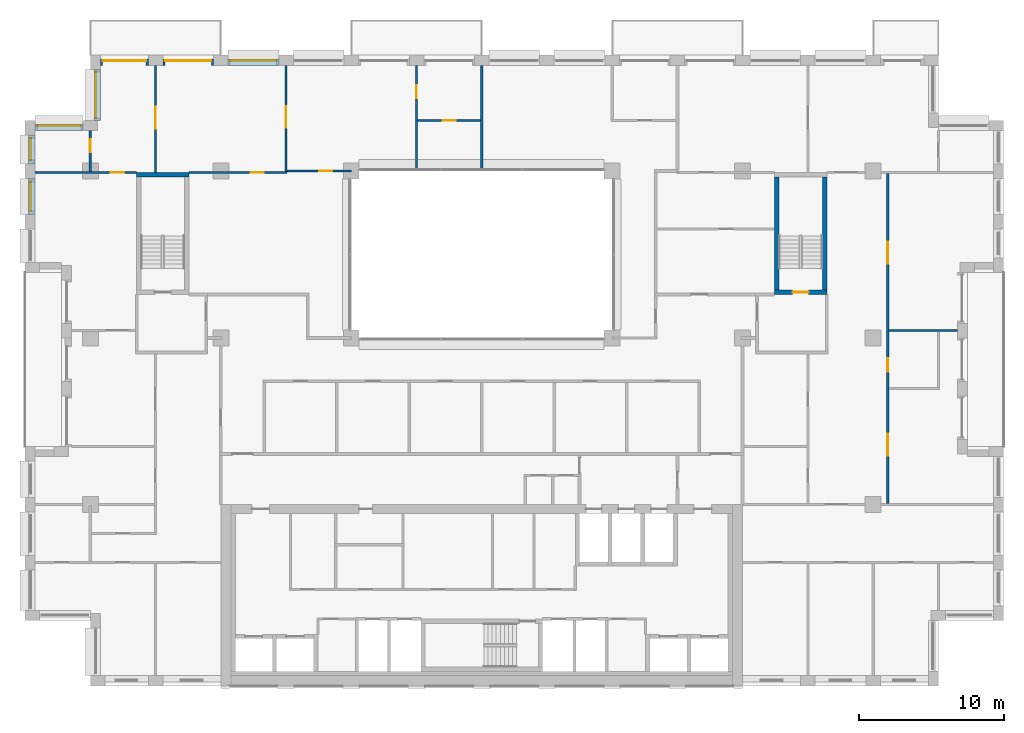
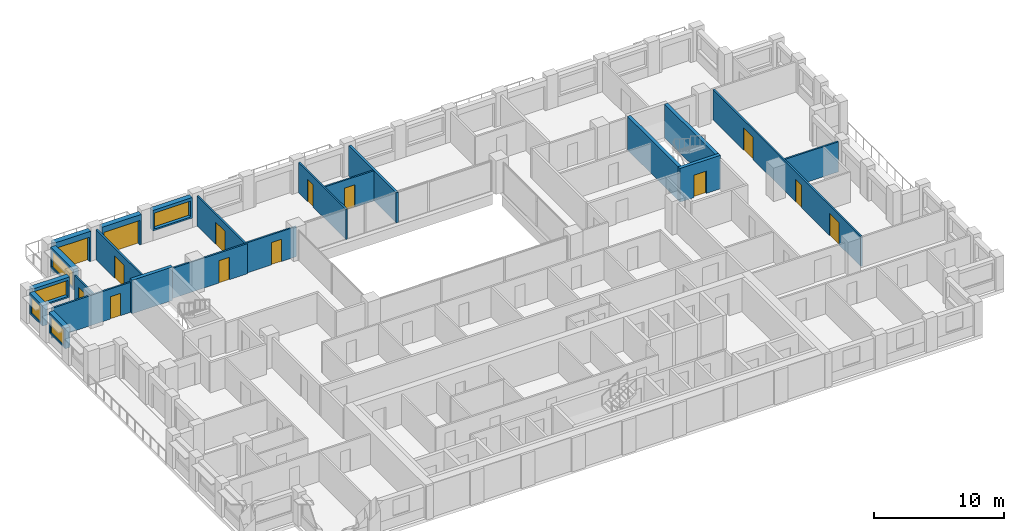
# One storey, part 12 of 16: 22 walls, 14 doors, 5 windows, 19 openings.
"""IFC4 building model written with IfcOpenShell, lengths in metres."""

from ifc_helpers import new_model, si_unit, direction, frame, frame_2d, origin, place, context, subcontext, project, spatial, rectangle, extrude, material, layer, layer_set, type_object, element, fill, save


model = new_model("IFC4")

# Units and contexts
model_context = context("Model", 3, precision=1e-05, world=origin(), true_north=direction((0.0, 1.0)))
body_context = subcontext(model_context, "Body", "Model", "MODEL_VIEW")
ifc_project = project(units=[si_unit("LENGTHUNIT", "METRE"), si_unit("AREAUNIT", "SQUARE_METRE"), si_unit("VOLUMEUNIT", "CUBIC_METRE"), si_unit("PLANEANGLEUNIT", "RADIAN"), si_unit("MASSUNIT", "GRAM", prefix="KILO")], contexts=[model_context])

# Site, building, storey
site_placement = place(None, origin())
site = spatial("IfcSite", under=ifc_project, at=site_placement, CompositionType="ELEMENT")
building_placement = place(site_placement, origin())
building = spatial("IfcBuilding", under=site, at=building_placement, Name="Brigalow Station Residences", CompositionType="ELEMENT")
storey_placement = place(building_placement, frame((0.0, 0.0, 166.5)))
storey = spatial("IfcBuildingStorey", under=building, at=storey_placement, Name="L48", CompositionType="ELEMENT", Elevation=166.5)

# Wall, opening, window
ifc_material_1 = material(Name="Clay brick masonry", Category="masonry")
ifc_layer_1 = layer(ifc_material_1, 0.449951171875)
ifc_layer_set_1 = layer_set([ifc_layer_1], Name="BRICK INFILL WALL 450")
wall_type_1 = type_object("IfcWallType", Name="BRICK INFILL WALL 450", PredefinedType="SOLIDWALL", material=ifc_layer_set_1)
wall_1_placement = place(storey_placement, frame((22.0, 43.02490234375, 0.89990234375), z_axis=(0.0, 0.0, 1.0), x_axis=(-1.0, 0.0, 0.0)))
wall_1 = element("IfcWall", 1, at=wall_1_placement, inside=storey, type_object=wall_type_1, Name="L48/ewall/W-L48-32", PredefinedType="SOLIDWALL", context=body_context, shape_type="SweptSolid", body=[
    extrude(rectangle(XDim=3.5, YDim=0.449951171875, at=frame_2d((1.75, 0.0))), origin(), (0.0, 0.0, 1.0), 1.93017578125),
])
opening_1_placement = place(wall_1_placement, frame((0.14990234375, 0.0, 0.14990234375)))
opening_1 = element("IfcOpeningElement", 2, at=opening_1_placement, cuts=wall_1, Name="Opening WT-9", PredefinedType="OPENING", context=body_context, shape_type="SweptSolid", body=[
    extrude(rectangle(XDim=3.199951171875, YDim=1.5, at=frame_2d((1.60009765625, 0.75))), frame((0.0, 0.23486328125, 0.0), z_axis=(0.0, -1.0, 0.0), x_axis=(1.0, 0.0, 0.0)), (0.0, 0.0, 1.0), 0.469970703125),
])
ifc_material_2 = material(Name="Anodised aluminium frame with double glazing", Category="aluminium")
window_type_1 = type_object("IfcWindowType", Name="WINDOW 3200x1500", PartitioningType="SINGLE_PANEL", PredefinedType="WINDOW", material=ifc_material_2)
window_1_placement = place(opening_1_placement, origin())
window_1 = element("IfcWindow", 3, at=window_1_placement, inside=storey, type_object=window_type_1, Name="L48/window/W-L48-32", OverallHeight=1.5, OverallWidth=3.199951171875, PartitioningType="SINGLE_PANEL", PredefinedType="WINDOW", context=body_context, shape_type="SweptSolid", body=[
    extrude(rectangle(XDim=3.199951171875, YDim=1.5, at=frame_2d((1.60009765625, 0.75))), frame((0.0, -0.06494140625, 0.0), z_axis=(0.0, -1.0, 0.0), x_axis=(1.0, 0.0, 0.0)), (0.0, 0.0, 1.0), 0.06005859375),
])
fill(opening_1, window_1)

# Wall, opening, door
wall_2_placement = place(storey_placement, frame((17.5, 43.02490234375, 0.0), z_axis=(0.0, 0.0, 1.0), x_axis=(-1.0, 0.0, 0.0)))
wall_2 = element("IfcWall", 4, at=wall_2_placement, inside=storey, type_object=wall_type_1, Name="L48/ewall/W-L48-33", PredefinedType="SOLIDWALL", context=body_context, shape_type="SweptSolid", body=[
    extrude(rectangle(XDim=3.5, YDim=0.449951171875, at=frame_2d((1.75, 0.0))), origin(), (0.0, 0.0, 1.0), 2.830078125),
])
opening_2_placement = place(wall_2_placement, frame((0.14990234375, 0.0, 0.0)))
opening_2 = element("IfcOpeningElement", 5, at=opening_2_placement, cuts=wall_2, Name="Opening D-B3200", PredefinedType="OPENING", context=body_context, shape_type="SweptSolid", body=[
    extrude(rectangle(XDim=3.199951171875, YDim=2.300048828125, at=frame_2d((1.60009765625, 1.14990234375))), frame((0.0, 0.23486328125, 0.0), z_axis=(0.0, -1.0, 0.0), x_axis=(1.0, 0.0, 0.0)), (0.0, 0.0, 1.0), 0.469970703125),
])
ifc_material_3 = material(Name="Anodised aluminium frame with double glazing", Category="aluminium")
door_type_1 = type_object("IfcDoorType", Name="BALCONY SLIDING DOOR 3200x2300", OperationType="SLIDING_TO_LEFT", PredefinedType="DOOR", material=ifc_material_3)
door_1_placement = place(opening_2_placement, origin())
door_1 = element("IfcDoor", 6, at=door_1_placement, inside=storey, type_object=door_type_1, Name="L48/balcony-door/W-L48-33", OperationType="SLIDING_TO_LEFT", OverallHeight=2.300048828125, OverallWidth=3.199951171875, PredefinedType="DOOR", context=body_context, shape_type="SweptSolid", body=[
    extrude(rectangle(XDim=3.199951171875, YDim=2.300048828125, at=frame_2d((1.60009765625, 1.14990234375))), frame((0.0, -0.06982421875, 0.0), z_axis=(0.0, -1.0, 0.0), x_axis=(1.0, 0.0, 0.0)), (0.0, 0.0, 1.0), 0.050048828125),
])
fill(opening_2, door_1)

wall_3_placement = place(storey_placement, frame((13.0, 43.02490234375, 0.0), z_axis=(0.0, 0.0, 1.0), x_axis=(-1.0, 0.0, 0.0)))
wall_3 = element("IfcWall", 7, at=wall_3_placement, inside=storey, type_object=wall_type_1, Name="L48/ewall/W-L48-34", PredefinedType="SOLIDWALL", context=body_context, shape_type="SweptSolid", body=[
    extrude(rectangle(XDim=3.300048828125, YDim=0.449951171875, at=frame_2d((1.64990234375, 0.0))), origin(), (0.0, 0.0, 1.0), 2.830078125),
])
opening_3_placement = place(wall_3_placement, frame((0.14990234375, 0.0, 0.0)))
opening_3 = element("IfcOpeningElement", 8, at=opening_3_placement, cuts=wall_3, Name="Opening D-B3000", PredefinedType="OPENING", context=body_context, shape_type="SweptSolid", body=[
    extrude(rectangle(XDim=3.0, YDim=2.300048828125, at=frame_2d((1.5, 1.14990234375))), frame((0.0, 0.23486328125, 0.0), z_axis=(0.0, -1.0, 0.0), x_axis=(1.0, 0.0, 0.0)), (0.0, 0.0, 1.0), 0.469970703125),
])
ifc_material_4 = material(Name="Anodised aluminium frame with double glazing", Category="aluminium")
door_type_2 = type_object("IfcDoorType", Name="BALCONY SLIDING DOOR 3000x2300", OperationType="SLIDING_TO_LEFT", PredefinedType="DOOR", material=ifc_material_4)
door_2_placement = place(opening_3_placement, origin())
door_2 = element("IfcDoor", 9, at=door_2_placement, inside=storey, type_object=door_type_2, Name="L48/balcony-door/W-L48-34", OperationType="SLIDING_TO_LEFT", OverallHeight=2.300048828125, OverallWidth=3.0, PredefinedType="DOOR", context=body_context, shape_type="SweptSolid", body=[
    extrude(rectangle(XDim=3.0, YDim=2.300048828125, at=frame_2d((1.5, 1.14990234375))), frame((0.0, -0.06982421875, 0.0), z_axis=(0.0, -1.0, 0.0), x_axis=(1.0, 0.0, 0.0)), (0.0, 0.0, 1.0), 0.050048828125),
])
fill(opening_3, door_2)

# Wall, opening, window
wall_4_placement = place(storey_placement, frame((9.47509765625, 42.5, 0.89990234375), z_axis=(0.0, 0.0, 1.0), x_axis=(0.0, -1.0, 0.0)))
wall_4 = element("IfcWall", 10, at=wall_4_placement, inside=storey, type_object=wall_type_1, Name="L48/ewall/W-L48-35", PredefinedType="SOLIDWALL", context=body_context, shape_type="SweptSolid", body=[
    extrude(rectangle(XDim=3.5, YDim=0.449951171875, at=frame_2d((1.75, 0.0))), origin(), (0.0, 0.0, 1.0), 1.93017578125),
])
opening_4_placement = place(wall_4_placement, frame((0.14990234375, 0.0, 0.14990234375)))
opening_4 = element("IfcOpeningElement", 11, at=opening_4_placement, cuts=wall_4, Name="Opening WT-9", PredefinedType="OPENING", context=body_context, shape_type="SweptSolid", body=[
    extrude(rectangle(XDim=3.199951171875, YDim=1.5, at=frame_2d((1.60009765625, 0.75))), frame((0.0, 0.23486328125, 0.0), z_axis=(0.0, -1.0, 0.0), x_axis=(1.0, 0.0, 0.0)), (0.0, 0.0, 1.0), 0.469970703125),
])
window_2_placement = place(opening_4_placement, origin())
window_2 = element("IfcWindow", 12, at=window_2_placement, inside=storey, type_object=window_type_1, Name="L48/window/W-L48-35", OverallHeight=1.5, OverallWidth=3.199951171875, PartitioningType="SINGLE_PANEL", PredefinedType="WINDOW", context=body_context, shape_type="SweptSolid", body=[
    extrude(rectangle(XDim=3.199951171875, YDim=1.5, at=frame_2d((1.60009765625, 0.75))), frame((0.0, -0.06494140625, 0.0), z_axis=(0.0, -1.0, 0.0), x_axis=(1.0, 0.0, 0.0)), (0.0, 0.0, 1.0), 0.06005859375),
])
fill(opening_4, window_2)

wall_5_placement = place(storey_placement, frame((8.5, 38.52490234375, 0.89990234375), z_axis=(0.0, 0.0, 1.0), x_axis=(-1.0, 0.0, 0.0)))
wall_5 = element("IfcWall", 13, at=wall_5_placement, inside=storey, type_object=wall_type_1, Name="L48/ewall/W-L48-36", PredefinedType="SOLIDWALL", context=body_context, shape_type="SweptSolid", body=[
    extrude(rectangle(XDim=3.300048828125, YDim=0.449951171875, at=frame_2d((1.64990234375, 0.0))), origin(), (0.0, 0.0, 1.0), 1.93017578125),
])
opening_5_placement = place(wall_5_placement, frame((0.14990234375, 0.0, 0.14990234375)))
opening_5 = element("IfcOpeningElement", 14, at=opening_5_placement, cuts=wall_5, Name="Opening WT-2", PredefinedType="OPENING", context=body_context, shape_type="SweptSolid", body=[
    extrude(rectangle(XDim=3.0, YDim=1.5, at=frame_2d((1.5, 0.75))), frame((0.0, 0.23486328125, 0.0), z_axis=(0.0, -1.0, 0.0), x_axis=(1.0, 0.0, 0.0)), (0.0, 0.0, 1.0), 0.469970703125),
])
ifc_material_5 = material(Name="Anodised aluminium frame with double glazing", Category="aluminium")
window_type_2 = type_object("IfcWindowType", Name="WINDOW 3000x1500", PartitioningType="SINGLE_PANEL", PredefinedType="WINDOW", material=ifc_material_5)
window_3_placement = place(opening_5_placement, origin())
window_3 = element("IfcWindow", 15, at=window_3_placement, inside=storey, type_object=window_type_2, Name="L48/window/W-L48-36", OverallHeight=1.5, OverallWidth=3.0, PartitioningType="SINGLE_PANEL", PredefinedType="WINDOW", context=body_context, shape_type="SweptSolid", body=[
    extrude(rectangle(XDim=3.0, YDim=1.5, at=frame_2d((1.5, 0.75))), frame((0.0, -0.06494140625, 0.0), z_axis=(0.0, -1.0, 0.0), x_axis=(1.0, 0.0, 0.0)), (0.0, 0.0, 1.0), 0.06005859375),
])
fill(opening_5, window_3)

wall_6_placement = place(storey_placement, frame((4.97509765625, 38.0, 0.89990234375), z_axis=(0.0, 0.0, 1.0), x_axis=(0.0, -1.0, 0.0)))
wall_6 = element("IfcWall", 16, at=wall_6_placement, inside=storey, type_object=wall_type_1, Name="L48/ewall/W-L48-37", PredefinedType="SOLIDWALL", context=body_context, shape_type="SweptSolid", body=[
    extrude(rectangle(XDim=2.0, YDim=0.449951171875, at=frame_2d((1.0, 0.0))), origin(), (0.0, 0.0, 1.0), 1.93017578125),
])
opening_6_placement = place(wall_6_placement, frame((0.25, 0.0, 0.14990234375)))
opening_6 = element("IfcOpeningElement", 17, at=opening_6_placement, cuts=wall_6, Name="Opening WT-1", PredefinedType="OPENING", context=body_context, shape_type="SweptSolid", body=[
    extrude(rectangle(XDim=1.5, YDim=1.5, at=frame_2d((0.75, 0.75))), frame((0.0, 0.23486328125, 0.0), z_axis=(0.0, -1.0, 0.0), x_axis=(1.0, 0.0, 0.0)), (0.0, 0.0, 1.0), 0.469970703125),
])
ifc_material_6 = material(Name="Anodised aluminium frame with double glazing", Category="aluminium")
window_type_3 = type_object("IfcWindowType", Name="WINDOW 1500x1500", PartitioningType="SINGLE_PANEL", PredefinedType="WINDOW", material=ifc_material_6)
window_4_placement = place(opening_6_placement, origin())
window_4 = element("IfcWindow", 18, at=window_4_placement, inside=storey, type_object=window_type_3, Name="L48/window/W-L48-37", OverallHeight=1.5, OverallWidth=1.5, PartitioningType="SINGLE_PANEL", PredefinedType="WINDOW", context=body_context, shape_type="SweptSolid", body=[
    extrude(rectangle(XDim=1.5, YDim=1.5, at=frame_2d((0.75, 0.75))), frame((0.0, -0.06494140625, 0.0), z_axis=(0.0, -1.0, 0.0), x_axis=(1.0, 0.0, 0.0)), (0.0, 0.0, 1.0), 0.06005859375),
])
fill(opening_6, window_4)

wall_7_placement = place(storey_placement, frame((4.97509765625, 35.0, 0.89990234375), z_axis=(0.0, 0.0, 1.0), x_axis=(0.0, -1.0, 0.0)))
wall_7 = element("IfcWall", 19, at=wall_7_placement, inside=storey, type_object=wall_type_1, Name="L48/ewall/W-L48-38", PredefinedType="SOLIDWALL", context=body_context, shape_type="SweptSolid", body=[
    extrude(rectangle(XDim=2.5, YDim=0.449951171875, at=frame_2d((1.25, 0.0))), origin(), (0.0, 0.0, 1.0), 1.93017578125),
])
opening_7_placement = place(wall_7_placement, frame((0.25, 0.0, 0.14990234375)))
opening_7 = element("IfcOpeningElement", 20, at=opening_7_placement, cuts=wall_7, Name="Opening WT-7", PredefinedType="OPENING", context=body_context, shape_type="SweptSolid", body=[
    extrude(rectangle(XDim=2.0, YDim=1.5, at=frame_2d((1.0, 0.75))), frame((0.0, 0.23486328125, 0.0), z_axis=(0.0, -1.0, 0.0), x_axis=(1.0, 0.0, 0.0)), (0.0, 0.0, 1.0), 0.469970703125),
])
ifc_material_7 = material(Name="Anodised aluminium frame with double glazing", Category="aluminium")
window_type_4 = type_object("IfcWindowType", Name="WINDOW 2000x1500", PartitioningType="SINGLE_PANEL", PredefinedType="WINDOW", material=ifc_material_7)
window_5_placement = place(opening_7_placement, origin())
window_5 = element("IfcWindow", 21, at=window_5_placement, inside=storey, type_object=window_type_4, Name="L48/window/W-L48-38", OverallHeight=1.5, OverallWidth=2.0, PartitioningType="SINGLE_PANEL", PredefinedType="WINDOW", context=body_context, shape_type="SweptSolid", body=[
    extrude(rectangle(XDim=2.0, YDim=1.5, at=frame_2d((1.0, 0.75))), frame((0.0, -0.06494140625, 0.0), z_axis=(0.0, -1.0, 0.0), x_axis=(1.0, 0.0, 0.0)), (0.0, 0.0, 1.0), 0.06005859375),
])
fill(opening_7, window_5)

# Wall
ifc_material_8 = material(Name="Concrete C65", Category="concrete")
ifc_layer_2 = layer(ifc_material_8, 0.300048828125)
ifc_layer_set_2 = layer_set([ifc_layer_2], Name="CORE SHEAR WALL 300 C65")
wall_type_2 = type_object("IfcWallType", Name="CORE SHEAR WALL 300 C65", PredefinedType="SHEAR", material=ifc_layer_set_2)
wall_8_placement = place(storey_placement, frame((12.199951171875, 35.25, 0.0), z_axis=(0.0, 0.0, 1.0), x_axis=(1.0, 0.0, 0.0)))
element("IfcWall", 22, at=wall_8_placement, inside=storey, type_object=wall_type_2, Name="CORE WALL ST-S1-N L48", PredefinedType="SHEAR", context=body_context, shape_type="SweptSolid", body=[
    extrude(rectangle(XDim=3.60009765625, YDim=0.300048828125, at=frame_2d((1.800048828125, 0.0))), origin(), (0.0, 0.0, 1.0), 3.14990234375),
])

# Wall, opening, door
wall_9_placement = place(storey_placement, frame((56.199951171875, 27.14990234375, 0.0), z_axis=(0.0, 0.0, 1.0), x_axis=(1.0, 0.0, 0.0)))
wall_9 = element("IfcWall", 23, at=wall_9_placement, inside=storey, type_object=wall_type_2, Name="CORE WALL ST-S3-S L48", PredefinedType="SHEAR", context=body_context, shape_type="SweptSolid", body=[
    extrude(rectangle(XDim=3.60009765625, YDim=0.300048828125, at=frame_2d((1.800048828125, 0.0))), origin(), (0.0, 0.0, 1.0), 3.14990234375),
])
opening_8_placement = place(wall_9_placement, frame((1.25, 0.0, 0.0)))
opening_8 = element("IfcOpeningElement", 24, at=opening_8_placement, cuts=wall_9, Name="Opening D-5018", PredefinedType="OPENING", context=body_context, shape_type="SweptSolid", body=[
    extrude(rectangle(XDim=1.10009765625, YDim=2.10009765625, at=frame_2d((0.550048828125, 1.050048828125))), frame((0.0, 0.16015625, 0.0), z_axis=(0.0, -1.0, 0.0), x_axis=(1.0, 0.0, 0.0)), (0.0, 0.0, 1.0), 0.320068359375),
])
ifc_material_9 = material(Name="Steel fire door leaf in steel frame", Category="steel")
door_type_3 = type_object("IfcDoorType", Name="STAIR DOOR 1100 x 2100 FD60S", OperationType="SINGLE_SWING_LEFT", PredefinedType="DOOR", material=ifc_material_9)
door_3_placement = place(opening_8_placement, origin())
door_3 = element("IfcDoor", 25, at=door_3_placement, inside=storey, type_object=door_type_3, Name="D-5018", OperationType="SINGLE_SWING_LEFT", OverallHeight=2.10009765625, OverallWidth=1.10009765625, PredefinedType="DOOR", context=body_context, shape_type="SweptSolid", body=[
    extrude(rectangle(XDim=1.10009765625, YDim=2.10009765625, at=frame_2d((0.550048828125, 1.050048828125))), frame((0.0, 0.02490234375, 0.0), z_axis=(0.0, -1.0, 0.0), x_axis=(1.0, 0.0, 0.0)), (0.0, 0.0, 1.0), 0.050048828125),
])
fill(opening_8, door_3)

# Walls
for number, where, z_axis, x_axis, name in (
    (26, (56.35009765625, 27.300048828125, 0.0), (0.0, 0.0, 1.0), (0.0, 1.0, 0.0), "CORE WALL ST-S3-W L48"),
    (27, (59.64990234375, 27.300048828125, 0.0), (0.0, 0.0, 1.0), (0.0, 1.0, 0.0), "CORE WALL ST-S3-E L48"),
):
    element("IfcWall", number, at=place(storey_placement, frame(where, z_axis=z_axis, x_axis=x_axis)), inside=storey, type_object=wall_type_2, Name=name, PredefinedType="SHEAR", context=body_context, shape_type="SweptSolid", body=[
        extrude(rectangle(XDim=7.800048828125, YDim=0.300048828125, at=frame_2d((3.89990234375, 0.0))), origin(), (0.0, 0.0, 1.0), 3.14990234375),
    ])
ifc_material_10 = material(Name="Plasterboard on steel stud partition", Category="steel")
ifc_layer_3 = layer(ifc_material_10, 0.14990234375)
ifc_layer_set_3 = layer_set([ifc_layer_3], Name="FLAT PARTITION 150")
wall_type_3 = type_object("IfcWallType", Name="FLAT PARTITION 150", PredefinedType="PARTITIONING", material=ifc_layer_set_3)
wall_10_placement = place(storey_placement, frame((64.074951171875, 24.5, 0.0), z_axis=(0.0, 0.0, 1.0), x_axis=(1.0, 0.0, 0.0)))
element("IfcWall", 28, at=wall_10_placement, inside=storey, type_object=wall_type_3, Name="PW-3D16", PredefinedType="PARTITIONING", context=body_context, shape_type="SweptSolid", body=[
    extrude(rectangle(XDim=4.72509765625, YDim=0.14990234375, at=frame_2d((2.362548828125, 0.0))), origin(), (0.0, 0.0, 1.0), 2.830078125),
])

# Wall, opening, door
wall_11_placement = place(storey_placement, frame((5.199951171875, 35.39990234375, 0.0), z_axis=(0.0, 0.0, 1.0), x_axis=(1.0, 0.0, 0.0)))
wall_11 = element("IfcWall", 29, at=wall_11_placement, inside=storey, type_object=wall_type_3, Name="PW-3D17", PredefinedType="PARTITIONING", context=body_context, shape_type="SweptSolid", body=[
    extrude(rectangle(XDim=7.0, YDim=0.14990234375, at=frame_2d((3.5, 0.0))), origin(), (0.0, 0.0, 1.0), 2.830078125),
])
opening_9_placement = place(wall_11_placement, frame((5.22509765625, 0.0, 0.0)))
opening_9 = element("IfcOpeningElement", 30, at=opening_9_placement, cuts=wall_11, Name="Opening D-3D11", PredefinedType="OPENING", context=body_context, shape_type="SweptSolid", body=[
    extrude(rectangle(XDim=0.89990234375, YDim=2.10009765625, at=frame_2d((0.449951171875, 1.050048828125))), frame((0.0, 0.0849609375, 0.0), z_axis=(0.0, -1.0, 0.0), x_axis=(1.0, 0.0, 0.0)), (0.0, 0.0, 1.0), 0.169921875),
])
ifc_material_11 = material(Name="Solid-core timber door leaf", Category="wood")
door_type_4 = type_object("IfcDoorType", Name="INTERNAL DOOR 900 x 2100", OperationType="SINGLE_SWING_LEFT", PredefinedType="DOOR", material=ifc_material_11)
door_4_placement = place(opening_9_placement, origin())
door_4 = element("IfcDoor", 31, at=door_4_placement, inside=storey, type_object=door_type_4, Name="D-3D11", OperationType="SINGLE_SWING_LEFT", OverallHeight=2.10009765625, OverallWidth=0.89990234375, PredefinedType="DOOR", context=body_context, shape_type="SweptSolid", body=[
    extrude(rectangle(XDim=0.89990234375, YDim=2.10009765625, at=frame_2d((0.449951171875, 1.050048828125))), frame((0.0, 0.02490234375, 0.0), z_axis=(0.0, -1.0, 0.0), x_axis=(1.0, 0.0, 0.0)), (0.0, 0.0, 1.0), 0.050048828125),
])
fill(opening_9, door_4)

wall_12_placement = place(storey_placement, frame((15.800048828125, 35.39990234375, 0.0), z_axis=(0.0, 0.0, 1.0), x_axis=(1.0, 0.0, 0.0)))
wall_12 = element("IfcWall", 32, at=wall_12_placement, inside=storey, type_object=wall_type_3, Name="PW-3D18", PredefinedType="PARTITIONING", context=body_context, shape_type="SweptSolid", body=[
    extrude(rectangle(XDim=6.77490234375, YDim=0.14990234375, at=frame_2d((3.387451171875, 0.0))), origin(), (0.0, 0.0, 1.0), 2.830078125),
])
opening_10_placement = place(wall_12_placement, frame((4.27490234375, 0.0, 0.0)))
opening_10 = element("IfcOpeningElement", 33, at=opening_10_placement, cuts=wall_12, Name="Opening D-3D14", PredefinedType="OPENING", context=body_context, shape_type="SweptSolid", body=[
    extrude(rectangle(XDim=0.89990234375, YDim=2.10009765625, at=frame_2d((0.449951171875, 1.050048828125))), frame((0.0, 0.0849609375, 0.0), z_axis=(0.0, -1.0, 0.0), x_axis=(1.0, 0.0, 0.0)), (0.0, 0.0, 1.0), 0.169921875),
])
door_5_placement = place(opening_10_placement, origin())
door_5 = element("IfcDoor", 34, at=door_5_placement, inside=storey, type_object=door_type_4, Name="D-3D14", OperationType="SINGLE_SWING_RIGHT", OverallHeight=2.10009765625, OverallWidth=0.89990234375, PredefinedType="DOOR", context=body_context, shape_type="SweptSolid", body=[
    extrude(rectangle(XDim=0.89990234375, YDim=2.10009765625, at=frame_2d((0.449951171875, 1.050048828125))), frame((0.0, 0.02490234375, 0.0), z_axis=(0.0, -1.0, 0.0), x_axis=(1.0, 0.0, 0.0)), (0.0, 0.0, 1.0), 0.050048828125),
])
fill(opening_10, door_5)

wall_13_placement = place(storey_placement, frame((22.574951171875, 35.5, 0.0), z_axis=(0.0, 0.0, 1.0), x_axis=(1.0, 0.0, 0.0)))
wall_13 = element("IfcWall", 35, at=wall_13_placement, inside=storey, type_object=wall_type_3, Name="PW-3D21", PredefinedType="PARTITIONING", context=body_context, shape_type="SweptSolid", body=[
    extrude(rectangle(XDim=4.425048828125, YDim=0.14990234375, at=frame_2d((2.21240234375, 0.0))), origin(), (0.0, 0.0, 1.0), 2.830078125),
])
opening_11_placement = place(wall_13_placement, frame((2.199951171875, 0.0, 0.0)))
opening_11 = element("IfcOpeningElement", 36, at=opening_11_placement, cuts=wall_13, Name="Opening D-3D16", PredefinedType="OPENING", context=body_context, shape_type="SweptSolid", body=[
    extrude(rectangle(XDim=0.89990234375, YDim=2.10009765625, at=frame_2d((0.449951171875, 1.050048828125))), frame((0.0, 0.0849609375, 0.0), z_axis=(0.0, -1.0, 0.0), x_axis=(1.0, 0.0, 0.0)), (0.0, 0.0, 1.0), 0.169921875),
])
door_6_placement = place(opening_11_placement, origin())
door_6 = element("IfcDoor", 37, at=door_6_placement, inside=storey, type_object=door_type_4, Name="D-3D16", OperationType="SINGLE_SWING_LEFT", OverallHeight=2.10009765625, OverallWidth=0.89990234375, PredefinedType="DOOR", context=body_context, shape_type="SweptSolid", body=[
    extrude(rectangle(XDim=0.89990234375, YDim=2.10009765625, at=frame_2d((0.449951171875, 1.050048828125))), frame((0.0, 0.02490234375, 0.0), z_axis=(0.0, -1.0, 0.0), x_axis=(1.0, 0.0, 0.0)), (0.0, 0.0, 1.0), 0.050048828125),
])
fill(opening_11, door_6)

wall_14_placement = place(storey_placement, frame((31.574951171875, 39.0, 0.0), z_axis=(0.0, 0.0, 1.0), x_axis=(1.0, 0.0, 0.0)))
wall_14 = element("IfcWall", 38, at=wall_14_placement, inside=storey, type_object=wall_type_3, Name="PW-3D23", PredefinedType="PARTITIONING", context=body_context, shape_type="SweptSolid", body=[
    extrude(rectangle(XDim=4.324951171875, YDim=0.14990234375, at=frame_2d((2.16259765625, 0.0))), origin(), (0.0, 0.0, 1.0), 2.830078125),
])
opening_12_placement = place(wall_14_placement, frame((1.72509765625, 0.0, 0.0)))
opening_12 = element("IfcOpeningElement", 39, at=opening_12_placement, cuts=wall_14, Name="Opening D-3D18", PredefinedType="OPENING", context=body_context, shape_type="SweptSolid", body=[
    extrude(rectangle(XDim=0.89990234375, YDim=2.10009765625, at=frame_2d((0.449951171875, 1.050048828125))), frame((0.0, 0.0849609375, 0.0), z_axis=(0.0, -1.0, 0.0), x_axis=(1.0, 0.0, 0.0)), (0.0, 0.0, 1.0), 0.169921875),
])
door_7_placement = place(opening_12_placement, frame((0.89990234375, 0.0, 0.0), z_axis=(0.0, 0.0, 1.0), x_axis=(-1.0, 0.0, 0.0)))
door_7 = element("IfcDoor", 40, at=door_7_placement, inside=storey, type_object=door_type_4, Name="D-3D18", OperationType="SINGLE_SWING_LEFT", OverallHeight=2.10009765625, OverallWidth=0.89990234375, PredefinedType="DOOR", context=body_context, shape_type="SweptSolid", body=[
    extrude(rectangle(XDim=0.89990234375, YDim=2.10009765625, at=frame_2d((0.449951171875, 1.050048828125))), frame((0.0, 0.02490234375, 0.0), z_axis=(0.0, -1.0, 0.0), x_axis=(1.0, 0.0, 0.0)), (0.0, 0.0, 1.0), 0.050048828125),
])
fill(opening_12, door_7)

wall_15_placement = place(storey_placement, frame((13.5, 35.39990234375, 0.0), z_axis=(0.0, 0.0, 1.0), x_axis=(0.0, 1.0, 0.0)))
wall_15 = element("IfcWall", 41, at=wall_15_placement, inside=storey, type_object=wall_type_3, Name="PW-3D37", PredefinedType="PARTITIONING", context=body_context, shape_type="SweptSolid", body=[
    extrude(rectangle(XDim=7.400146484375, YDim=0.14990234375, at=frame_2d((3.7001953125, 0.0))), origin(), (0.0, 0.0, 1.0), 2.830078125),
])
opening_13_placement = place(wall_15_placement, frame((3.02490234375, 0.0, 0.0)))
opening_13 = element("IfcOpeningElement", 42, at=opening_13_placement, cuts=wall_15, Name="Opening D-3D13", PredefinedType="OPENING", context=body_context, shape_type="SweptSolid", body=[
    extrude(rectangle(XDim=1.5, YDim=2.10009765625, at=frame_2d((0.75, 1.050048828125))), frame((0.0, 0.0849609375, 0.0), z_axis=(0.0, -1.0, 0.0), x_axis=(1.0, 0.0, 0.0)), (0.0, 0.0, 1.0), 0.169921875),
])
ifc_material_12 = material(Name="Solid-core timber door leaf", Category="wood")
door_type_5 = type_object("IfcDoorType", Name="INTERNAL DOUBLE DOOR 1500 x 2100", OperationType="DOUBLE_DOOR_SINGLE_SWING", PredefinedType="DOOR", material=ifc_material_12)
door_8_placement = place(opening_13_placement, origin())
door_8 = element("IfcDoor", 43, at=door_8_placement, inside=storey, type_object=door_type_5, Name="D-3D13", OperationType="DOUBLE_DOOR_SINGLE_SWING", OverallHeight=2.10009765625, OverallWidth=1.5, PredefinedType="DOOR", context=body_context, shape_type="SweptSolid", body=[
    extrude(rectangle(XDim=1.5, YDim=2.10009765625, at=frame_2d((0.75, 1.050048828125))), frame((0.0, 0.02490234375, 0.0), z_axis=(0.0, -1.0, 0.0), x_axis=(1.0, 0.0, 0.0)), (0.0, 0.0, 1.0), 0.050048828125),
])
fill(opening_13, door_8)

wall_16_placement = place(storey_placement, frame((9.0, 35.47509765625, 0.0), z_axis=(0.0, 0.0, 1.0), x_axis=(0.0, 1.0, 0.0)))
wall_16 = element("IfcWall", 44, at=wall_16_placement, inside=storey, type_object=wall_type_3, Name="PW-3D39", PredefinedType="PARTITIONING", context=body_context, shape_type="SweptSolid", body=[
    extrude(rectangle(XDim=2.824951171875, YDim=0.14990234375, at=frame_2d((1.41259765625, 0.0))), origin(), (0.0, 0.0, 1.0), 2.830078125),
])
opening_14_placement = place(wall_16_placement, frame((1.324951171875, 0.0, 0.0)))
opening_14 = element("IfcOpeningElement", 45, at=opening_14_placement, cuts=wall_16, Name="Opening D-3D12", PredefinedType="OPENING", context=body_context, shape_type="SweptSolid", body=[
    extrude(rectangle(XDim=0.89990234375, YDim=2.10009765625, at=frame_2d((0.449951171875, 1.050048828125))), frame((0.0, 0.0849609375, 0.0), z_axis=(0.0, -1.0, 0.0), x_axis=(1.0, 0.0, 0.0)), (0.0, 0.0, 1.0), 0.169921875),
])
door_9_placement = place(opening_14_placement, origin())
door_9 = element("IfcDoor", 46, at=door_9_placement, inside=storey, type_object=door_type_4, Name="D-3D12", OperationType="SINGLE_SWING_RIGHT", OverallHeight=2.10009765625, OverallWidth=0.89990234375, PredefinedType="DOOR", context=body_context, shape_type="SweptSolid", body=[
    extrude(rectangle(XDim=0.89990234375, YDim=2.10009765625, at=frame_2d((0.449951171875, 1.050048828125))), frame((0.0, 0.02490234375, 0.0), z_axis=(0.0, -1.0, 0.0), x_axis=(1.0, 0.0, 0.0)), (0.0, 0.0, 1.0), 0.050048828125),
])
fill(opening_14, door_9)

wall_17_placement = place(storey_placement, frame((22.5, 35.47509765625, 0.0), z_axis=(0.0, 0.0, 1.0), x_axis=(0.0, 1.0, 0.0)))
wall_17 = element("IfcWall", 47, at=wall_17_placement, inside=storey, type_object=wall_type_3, Name="PW-3D40", PredefinedType="PARTITIONING", context=body_context, shape_type="SweptSolid", body=[
    extrude(rectangle(XDim=7.324951171875, YDim=0.14990234375, at=frame_2d((3.66259765625, 0.0))), origin(), (0.0, 0.0, 1.0), 2.830078125),
])
opening_15_placement = place(wall_17_placement, frame((3.0, 0.0, 0.0)))
opening_15 = element("IfcOpeningElement", 48, at=opening_15_placement, cuts=wall_17, Name="Opening D-3D15", PredefinedType="OPENING", context=body_context, shape_type="SweptSolid", body=[
    extrude(rectangle(XDim=1.5, YDim=2.10009765625, at=frame_2d((0.75, 1.050048828125))), frame((0.0, 0.0849609375, 0.0), z_axis=(0.0, -1.0, 0.0), x_axis=(1.0, 0.0, 0.0)), (0.0, 0.0, 1.0), 0.169921875),
])
door_10_placement = place(opening_15_placement, frame((1.5, 0.0, 0.0), z_axis=(0.0, 0.0, 1.0), x_axis=(-1.0, 0.0, 0.0)))
door_10 = element("IfcDoor", 49, at=door_10_placement, inside=storey, type_object=door_type_5, Name="D-3D15", OperationType="DOUBLE_DOOR_SINGLE_SWING", OverallHeight=2.10009765625, OverallWidth=1.5, PredefinedType="DOOR", context=body_context, shape_type="SweptSolid", body=[
    extrude(rectangle(XDim=1.5, YDim=2.10009765625, at=frame_2d((0.75, 1.050048828125))), frame((0.0, 0.02490234375, 0.0), z_axis=(0.0, -1.0, 0.0), x_axis=(1.0, 0.0, 0.0)), (0.0, 0.0, 1.0), 0.050048828125),
])
fill(opening_15, door_10)

wall_18_placement = place(storey_placement, frame((31.5, 35.5, 0.0), z_axis=(0.0, 0.0, 1.0), x_axis=(0.0, 1.0, 0.0)))
wall_18 = element("IfcWall", 50, at=wall_18_placement, inside=storey, type_object=wall_type_3, Name="PW-3D41", PredefinedType="PARTITIONING", context=body_context, shape_type="SweptSolid", body=[
    extrude(rectangle(XDim=7.300048828125, YDim=0.14990234375, at=frame_2d((3.64990234375, 0.0))), origin(), (0.0, 0.0, 1.0), 2.830078125),
])
opening_16_placement = place(wall_18_placement, frame((5.02490234375, 0.0, 0.0)))
opening_16 = element("IfcOpeningElement", 51, at=opening_16_placement, cuts=wall_18, Name="Opening D-3D17", PredefinedType="OPENING", context=body_context, shape_type="SweptSolid", body=[
    extrude(rectangle(XDim=0.89990234375, YDim=2.10009765625, at=frame_2d((0.449951171875, 1.050048828125))), frame((0.0, 0.0849609375, 0.0), z_axis=(0.0, -1.0, 0.0), x_axis=(1.0, 0.0, 0.0)), (0.0, 0.0, 1.0), 0.169921875),
])
door_11_placement = place(opening_16_placement, frame((0.89990234375, 0.0, 0.0), z_axis=(0.0, 0.0, 1.0), x_axis=(-1.0, 0.0, 0.0)))
door_11 = element("IfcDoor", 52, at=door_11_placement, inside=storey, type_object=door_type_4, Name="D-3D17", OperationType="SINGLE_SWING_LEFT", OverallHeight=2.10009765625, OverallWidth=0.89990234375, PredefinedType="DOOR", context=body_context, shape_type="SweptSolid", body=[
    extrude(rectangle(XDim=0.89990234375, YDim=2.10009765625, at=frame_2d((0.449951171875, 1.050048828125))), frame((0.0, 0.02490234375, 0.0), z_axis=(0.0, -1.0, 0.0), x_axis=(1.0, 0.0, 0.0)), (0.0, 0.0, 1.0), 0.050048828125),
])
fill(opening_16, door_11)

# Wall, openings, doors
wall_19_placement = place(storey_placement, frame((64.0, 12.574951171875, 0.0), z_axis=(0.0, 0.0, 1.0), x_axis=(0.0, 1.0, 0.0)))
wall_19 = element("IfcWall", 53, at=wall_19_placement, inside=storey, type_object=wall_type_3, Name="PW-3D52", PredefinedType="PARTITIONING", context=body_context, shape_type="SweptSolid", body=[
    extrude(rectangle(XDim=22.75, YDim=0.14990234375, at=frame_2d((11.375, 0.0))), origin(), (0.0, 0.0, 1.0), 2.830078125),
])
opening_17_placement = place(wall_19_placement, frame((16.550048828125, 0.0, 0.0)))
opening_17 = element("IfcOpeningElement", 54, at=opening_17_placement, cuts=wall_19, Name="Opening D-3D25", PredefinedType="OPENING", context=body_context, shape_type="SweptSolid", body=[
    extrude(rectangle(XDim=1.5, YDim=2.10009765625, at=frame_2d((0.75, 1.050048828125))), frame((0.0, 0.0849609375, 0.0), z_axis=(0.0, -1.0, 0.0), x_axis=(1.0, 0.0, 0.0)), (0.0, 0.0, 1.0), 0.169921875),
])
opening_18_placement = place(wall_19_placement, frame((3.300048828125, 0.0, 0.0)))
opening_18 = element("IfcOpeningElement", 55, at=opening_18_placement, cuts=wall_19, Name="Opening D-3D26", PredefinedType="OPENING", context=body_context, shape_type="SweptSolid", body=[
    extrude(rectangle(XDim=1.5, YDim=2.10009765625, at=frame_2d((0.75, 1.050048828125))), frame((0.0, 0.0849609375, 0.0), z_axis=(0.0, -1.0, 0.0), x_axis=(1.0, 0.0, 0.0)), (0.0, 0.0, 1.0), 0.169921875),
])
opening_19_placement = place(wall_19_placement, frame((9.10009765625, 0.0, 0.0)))
opening_19 = element("IfcOpeningElement", 56, at=opening_19_placement, cuts=wall_19, Name="Opening D-3D28", PredefinedType="OPENING", context=body_context, shape_type="SweptSolid", body=[
    extrude(rectangle(XDim=0.89990234375, YDim=2.10009765625, at=frame_2d((0.449951171875, 1.050048828125))), frame((0.0, 0.0849609375, 0.0), z_axis=(0.0, -1.0, 0.0), x_axis=(1.0, 0.0, 0.0)), (0.0, 0.0, 1.0), 0.169921875),
])
door_12_placement = place(opening_19_placement, frame((0.89990234375, 0.0, 0.0), z_axis=(0.0, 0.0, 1.0), x_axis=(-1.0, 0.0, 0.0)))
door_12 = element("IfcDoor", 57, at=door_12_placement, inside=storey, type_object=door_type_4, Name="D-3D28", OperationType="SINGLE_SWING_RIGHT", OverallHeight=2.10009765625, OverallWidth=0.89990234375, PredefinedType="DOOR", context=body_context, shape_type="SweptSolid", body=[
    extrude(rectangle(XDim=0.89990234375, YDim=2.10009765625, at=frame_2d((0.449951171875, 1.050048828125))), frame((0.0, 0.02490234375, 0.0), z_axis=(0.0, -1.0, 0.0), x_axis=(1.0, 0.0, 0.0)), (0.0, 0.0, 1.0), 0.050048828125),
])
fill(opening_19, door_12)
door_13_placement = place(opening_17_placement, frame((1.5, 0.0, 0.0), z_axis=(0.0, 0.0, 1.0), x_axis=(-1.0, 0.0, 0.0)))
door_13 = element("IfcDoor", 58, at=door_13_placement, inside=storey, type_object=door_type_5, Name="D-3D25", OperationType="DOUBLE_DOOR_SINGLE_SWING", OverallHeight=2.10009765625, OverallWidth=1.5, PredefinedType="DOOR", context=body_context, shape_type="SweptSolid", body=[
    extrude(rectangle(XDim=1.5, YDim=2.10009765625, at=frame_2d((0.75, 1.050048828125))), frame((0.0, 0.02490234375, 0.0), z_axis=(0.0, -1.0, 0.0), x_axis=(1.0, 0.0, 0.0)), (0.0, 0.0, 1.0), 0.050048828125),
])
fill(opening_17, door_13)
door_14_placement = place(opening_18_placement, frame((1.5, 0.0, 0.0), z_axis=(0.0, 0.0, 1.0), x_axis=(-1.0, 0.0, 0.0)))
door_14 = element("IfcDoor", 59, at=door_14_placement, inside=storey, type_object=door_type_5, Name="D-3D26", OperationType="DOUBLE_DOOR_SINGLE_SWING", OverallHeight=2.10009765625, OverallWidth=1.5, PredefinedType="DOOR", context=body_context, shape_type="SweptSolid", body=[
    extrude(rectangle(XDim=1.5, YDim=2.10009765625, at=frame_2d((0.75, 1.050048828125))), frame((0.0, 0.02490234375, 0.0), z_axis=(0.0, -1.0, 0.0), x_axis=(1.0, 0.0, 0.0)), (0.0, 0.0, 1.0), 0.050048828125),
])
fill(opening_18, door_14)

# Wall
ifc_material_13 = material(Name="Plasterboard on steel stud partition", Category="steel")
ifc_layer_4 = layer(ifc_material_13, 0.199951171875)
ifc_layer_set_4 = layer_set([ifc_layer_4], Name="PARTY AND CORRIDOR WALL 200")
wall_type_4 = type_object("IfcWallType", Name="PARTY AND CORRIDOR WALL 200", PredefinedType="PARTITIONING", material=ifc_layer_set_4)
wall_20_placement = place(storey_placement, frame((36.0, 35.5, 0.0), z_axis=(0.0, 0.0, 1.0), x_axis=(0.0, 1.0, 0.0)))
element("IfcWall", 60, at=wall_20_placement, inside=storey, type_object=wall_type_4, Name="PW-3D43", PredefinedType="PARTITIONING", context=body_context, shape_type="SweptSolid", body=[
    extrude(rectangle(XDim=7.300048828125, YDim=0.199951171875, at=frame_2d((3.64990234375, 0.0))), origin(), (0.0, 0.0, 1.0), 2.830078125),
])

save(model, "model.ifc")
